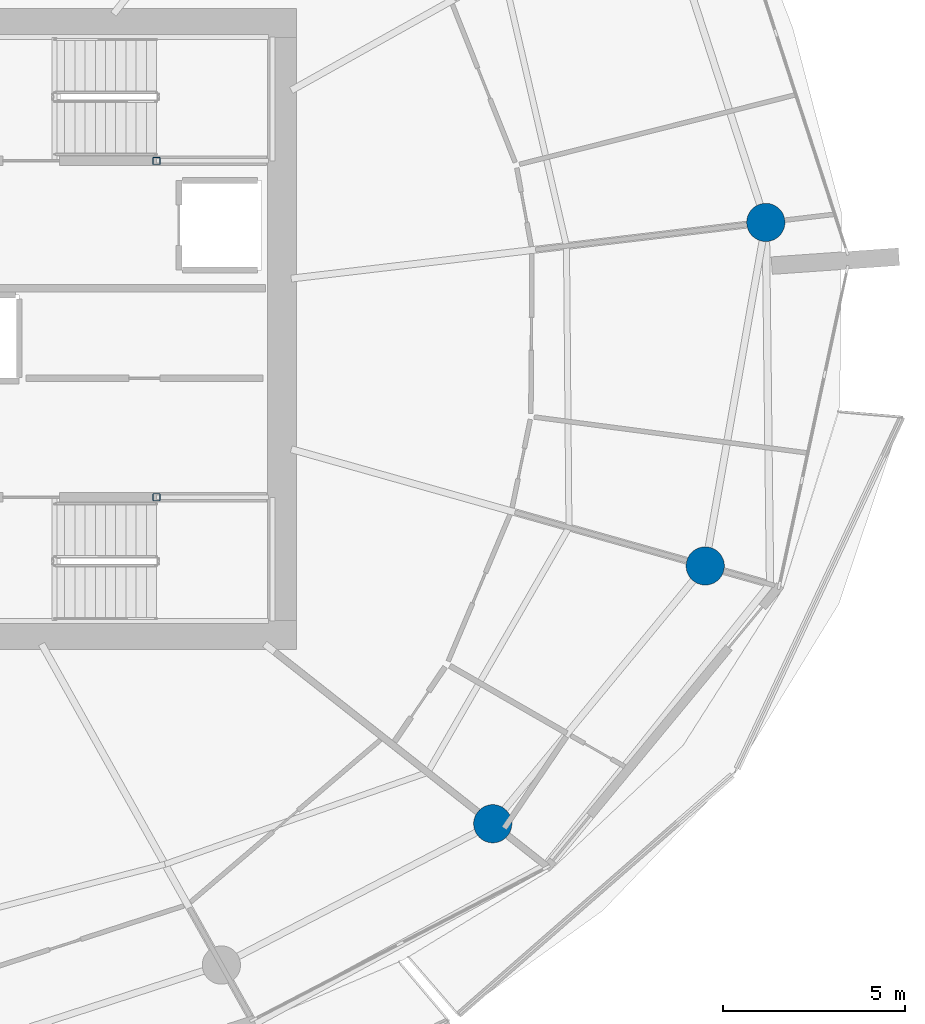
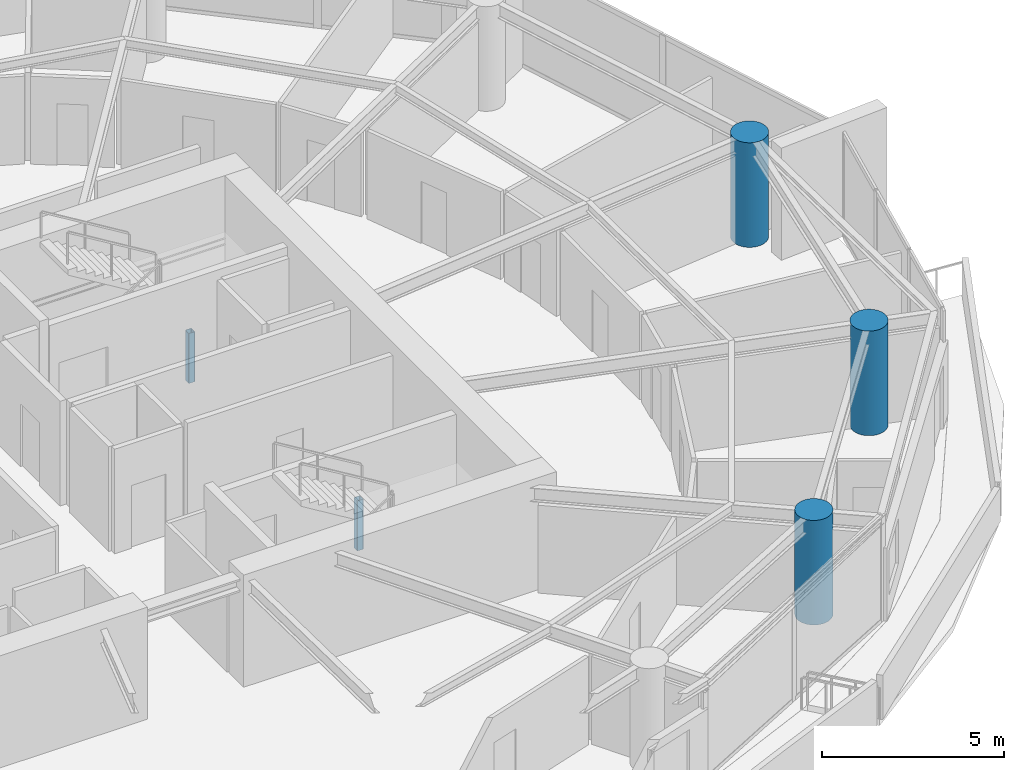
# One storey, part 3 of 20: 5 columns.
"""IFC4 building model written with IfcOpenShell, lengths in metres."""

from ifc_helpers import new_model, si_unit, direction, frame, origin, origin_2d, place, context, subcontext, project, spatial, hollow_rectangle, circle, extrude, material, material_profile, profile_set, type_object, element, save


model = new_model("IFC4")

# Units and contexts
model_context = context("Model", 3, precision=1e-05, world=origin(), true_north=direction((0.0, 1.0)))
body_context = subcontext(model_context, "Body", "Model", "MODEL_VIEW")
ifc_project = project(units=[si_unit("LENGTHUNIT", "METRE"), si_unit("AREAUNIT", "SQUARE_METRE"), si_unit("VOLUMEUNIT", "CUBIC_METRE"), si_unit("PLANEANGLEUNIT", "RADIAN"), si_unit("MASSUNIT", "GRAM", prefix="KILO")], contexts=[model_context])

# Site, building, storey
site_placement = place(None, origin())
site = spatial("IfcSite", under=ifc_project, at=site_placement, CompositionType="ELEMENT")
building_placement = place(site_placement, origin())
building = spatial("IfcBuilding", under=site, at=building_placement, Name="Kazma Halo Residences", CompositionType="ELEMENT")
storey_placement = place(building_placement, frame((0.0, 0.0, 139.050048828125)))
storey = spatial("IfcBuildingStorey", under=building, at=storey_placement, Name="L34", CompositionType="ELEMENT", Elevation=139.050048828125)

# Columns
ifc_material_1 = material(Name="Steel S355", Category="steel")
ifc_material_profile_1 = material_profile(ifc_material_1, hollow_rectangle(XDim=0.199951171875, YDim=0.199951171875, WallThickness=0.010009765625, InnerFilletRadius=0.010009765625, OuterFilletRadius=0.02001953125, at=origin_2d()), Name="SHS200x200x10")
ifc_profile_set_1 = profile_set([ifc_material_profile_1], Name="Steel S355")
column_type_1 = type_object("IfcColumnType", Name="COL-LP-SHS200", PredefinedType="COLUMN", material=ifc_profile_set_1)
for number, where, z_axis, x_axis, name in (
    (1, (56.0, 46.6201171875, 0.0), (0.0, 0.0, 1.0), (1.0, 0.0, 0.0), "L34 ST-02 landing pilaster 1"),
    (2, (56.0, 37.3798828125, 0.0), (0.0, 0.0, 1.0), (1.0, 0.0, 0.0), "L34 ST-03 landing pilaster 1"),
):
    element("IfcColumn", number, at=place(storey_placement, frame(where, z_axis=z_axis, x_axis=x_axis)), inside=storey, type_object=column_type_1, Name=name, PredefinedType="COLUMN", context=body_context, shape_type="SweptSolid", body=[
        extrude(hollow_rectangle(XDim=0.199951171875, YDim=0.199951171875, WallThickness=0.010009765625, InnerFilletRadius=0.010009765625, OuterFilletRadius=0.02001953125, at=origin_2d()), origin(), (0.0, 0.0, 1.0), 1.669921875),
    ])
ifc_material_2 = material(Name="Concrete C80/95", Category="concrete")
ifc_material_profile_2 = material_profile(ifc_material_2, circle(Radius=0.52490234375, at=origin_2d()), Name="CIRC1050")
ifc_profile_set_2 = profile_set([ifc_material_profile_2], Name="Concrete C80/95")
column_type_2 = type_object("IfcColumnType", Name="COL-PERIM-1050", PredefinedType="COLUMN", material=ifc_profile_set_2)
for number, where, z_axis, x_axis, name in (
    (3, (65.234375, 28.41357421875, 0.0), (0.0, 0.0, 1.0), (1.0, 0.0, 0.0), "L34 perimeter ring column P14"),
    (4, (71.06982421875, 35.49365234375, 0.0), (0.0, 0.0, 1.0), (1.0, 0.0, 0.0), "L34 perimeter ring column P15"),
    (5, (72.733154296875, 44.927490234375, 0.0), (0.0, 0.0, 1.0), (1.0, 0.0, 0.0), "L34 perimeter ring column P16"),
):
    element("IfcColumn", number, at=place(storey_placement, frame(where, z_axis=z_axis, x_axis=x_axis)), inside=storey, type_object=column_type_2, Name=name, PredefinedType="COLUMN", context=body_context, shape_type="SweptSolid", body=[
        extrude(circle(Radius=0.52490234375, at=origin_2d()), origin(), (0.0, 0.0, 1.0), 3.5),
    ])

save(model, "model.ifc")
